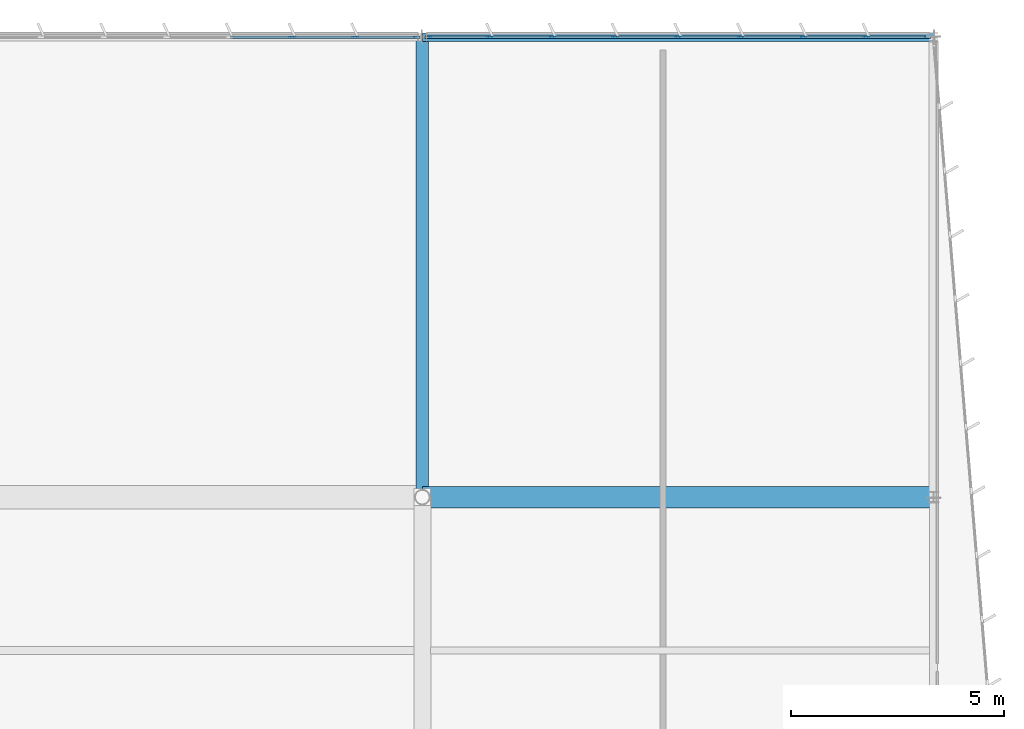
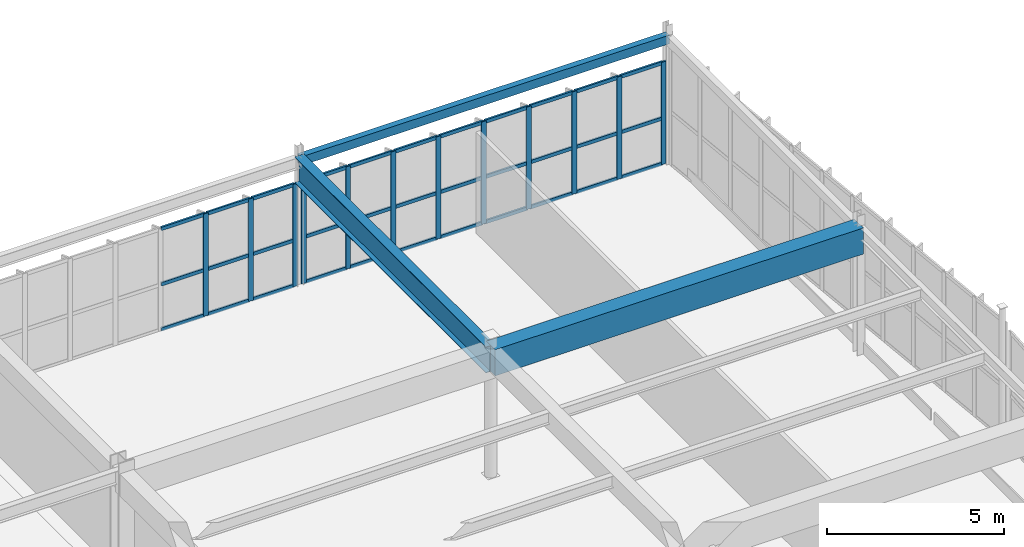
# One storey, part 110 of 186: 45 members, 3 beams, 2 elements without a shape of their own.
"""IFC4 building model written with IfcOpenShell, lengths in metres."""

import ifcopenshell
import ifcopenshell.guid

model = None  # the IFC model being written
_history = None  # IfcOwnerHistory: only IFC2X3 demands one
_inside = {}  # id of a spatial element -> (the spatial element, [elements in it])
_under = {}  # id of a project, library or spatial element -> (it, [spatial elements below it])
_declared = {}  # id of a project -> (the project, [libraries it declares])
_typed = {}  # id of a type object -> (the type object, [elements of that type])
_made_of = {}  # id of a material, layer set ... -> (it, [elements and type objects made of it])


def new_model(schema):
    """Start an empty IFC model of exactly this schema.

    Asked for "IFC4X3", IfcOpenShell would pick the latest addendum, in which some entities
    have other attributes; the version numbers below select the first issue.
    IFC2X3 requires an IfcOwnerHistory on every rooted entity: one is made here for all.
    """
    global model, _history
    if schema == "IFC4X3":
        model = ifcopenshell.file(schema_version=(4, 3, 0, 0))
    else:
        model = ifcopenshell.file(schema=schema)
    _inside.clear()
    _under.clear()
    _declared.clear()
    _typed.clear()
    _made_of.clear()
    _history = None
    if model.schema == "IFC2X3":
        org = make("IfcOrganization", Name="unknown")
        user = make(
            "IfcPersonAndOrganization",
            ThePerson=make("IfcPerson", FamilyName="unknown"),
            TheOrganization=org,
        )
        app = make(
            "IfcApplication",
            ApplicationDeveloper=org,
            Version="unknown",
            ApplicationFullName="unknown",
            ApplicationIdentifier="unknown",
        )
        _history = make(
            "IfcOwnerHistory",
            OwningUser=user,
            OwningApplication=app,
            ChangeAction="ADDED",
            CreationDate=0,
        )
    return model


def make(cls, **values):
    """One entity of the class cls with the attributes given. An attribute that is None is left unset."""
    return model.create_entity(
        cls, **{name: value for name, value in values.items() if value is not None}
    )


def rooted(cls, **values):
    """An entity with a GlobalId (a new one), such as an element, a storey or a relation."""
    return make(cls, GlobalId=ifcopenshell.guid.new(), OwnerHistory=_history, **values)


def si_unit(unit_type, name, prefix=None):
    """IfcSIUnit, for example si_unit("LENGTHUNIT", "METRE", prefix="MILLI")."""
    return make("IfcSIUnit", UnitType=unit_type, Prefix=prefix, Name=name)


def assignment(units):
    """IfcUnitAssignment: the units of a project."""
    return None if units is None else make("IfcUnitAssignment", Units=units)


def point(xyz):
    """IfcCartesianPoint."""
    return None if xyz is None else make("IfcCartesianPoint", Coordinates=xyz)


def direction(xyz):
    """IfcDirection."""
    return None if xyz is None else make("IfcDirection", DirectionRatios=xyz)


def frame(location, z_axis=None, x_axis=None):
    """IfcAxis2Placement3D, a coordinate frame: its origin and axes. An axis left out is left unset."""
    return make(
        "IfcAxis2Placement3D",
        Location=point(location),
        Axis=direction(z_axis),
        RefDirection=direction(x_axis),
    )


def frame_2d(location, x_axis=None):
    """IfcAxis2Placement2D, a coordinate frame in the plane: its origin and x axis."""
    return make(
        "IfcAxis2Placement2D", Location=point(location), RefDirection=direction(x_axis)
    )


def origin():
    """The frame at (0, 0, 0) with its axes left unset."""
    return frame((0.0, 0.0, 0.0))


def origin_2d():
    """The frame at (0, 0) in the plane with its x axis left unset."""
    return frame_2d((0.0, 0.0))


def place(relative_to, where):
    """IfcLocalPlacement: puts the frame where relative to a parent placement (None: the world)."""
    return make(
        "IfcLocalPlacement", PlacementRelTo=relative_to, RelativePlacement=where
    )


def context(
    kind, dimensions, precision=None, world=None, true_north=None, identifier=None
):
    """IfcGeometricRepresentationContext, for example the 3D "Model" context."""
    return make(
        "IfcGeometricRepresentationContext",
        ContextIdentifier=identifier,
        ContextType=kind,
        CoordinateSpaceDimension=dimensions,
        Precision=precision,
        WorldCoordinateSystem=world,
        TrueNorth=true_north,
    )


def subcontext(parent, identifier, kind, view, scale=None):
    """IfcGeometricRepresentationSubContext, for example "Body" below "Model"."""
    return make(
        "IfcGeometricRepresentationSubContext",
        ContextIdentifier=identifier,
        ContextType=kind,
        ParentContext=parent,
        TargetScale=scale,
        TargetView=view,
    )


def project(units=None, contexts=None):
    """IfcProject with its units and contexts."""
    return rooted(
        "IfcProject",
        Name="project",
        RepresentationContexts=contexts,
        UnitsInContext=assignment(units),
    )


def spatial(cls, under=None, at=None, **own):
    """A site, building, storey or space (cls), placed at a placement, below another one or the project."""
    s = rooted(cls, ObjectPlacement=at, **own)
    if under is not None:
        _under.setdefault(under.id(), (under, []))[1].append(s)
    return s


def profile(cls, at=None, kind="AREA", **sizes):
    """A parametric profile (cls). Its sizes go by their IFC names, for example OverallWidth=200.0."""
    return make(cls, ProfileType=kind, Position=at, **sizes)


def rectangle(**sizes):
    """IfcRectangleProfileDef."""
    return profile("IfcRectangleProfileDef", **sizes)


def hollow_rectangle(**sizes):
    """IfcRectangleHollowProfileDef."""
    return profile("IfcRectangleHollowProfileDef", **sizes)


def i_section(**sizes):
    """IfcIShapeProfileDef."""
    return profile("IfcIShapeProfileDef", **sizes)


def extrude(swept, where, along, depth):
    """IfcExtrudedAreaSolid: the profile swept, set in the frame where, extruded along a direction by depth."""
    return make(
        "IfcExtrudedAreaSolid",
        SweptArea=swept,
        Position=where,
        ExtrudedDirection=direction(along),
        Depth=depth,
    )


def shape(context_of_items, identifier, shape_type, items):
    """IfcShapeRepresentation: the items that make up one representation, for example the "Body"."""
    return make(
        "IfcShapeRepresentation",
        ContextOfItems=context_of_items,
        RepresentationIdentifier=identifier,
        RepresentationType=shape_type,
        Items=items,
    )


def material(Name=None, Category=None):
    """IfcMaterial."""
    return make("IfcMaterial", Name=Name, Category=Category)


def layer(
    of_material, thickness, ventilated=None, Name=None, Category=None, Priority=None
):
    """IfcMaterialLayer: one layer of a wall or slab, of a material (None: an air gap)."""
    return make(
        "IfcMaterialLayer",
        Material=of_material,
        LayerThickness=thickness,
        IsVentilated=ventilated,
        Name=Name,
        Category=Category,
        Priority=Priority,
    )


def layer_set(layers, Name=None):
    """IfcMaterialLayerSet."""
    return make("IfcMaterialLayerSet", MaterialLayers=layers, LayerSetName=Name)


def material_profile(
    of_material, cross_section, Name=None, Category=None, Priority=None
):
    """IfcMaterialProfile: a cross section and its material."""
    return make(
        "IfcMaterialProfile",
        Name=Name,
        Material=of_material,
        Profile=cross_section,
        Priority=Priority,
        Category=Category,
    )


def profile_set(profiles, Name=None, composite=None):
    """IfcMaterialProfileSet."""
    return make(
        "IfcMaterialProfileSet",
        Name=Name,
        MaterialProfiles=profiles,
        CompositeProfile=composite,
    )


def made_of(thing, what):
    """Note that an element or type object is made of a material, layer set ...; save() writes the relation."""
    if what is not None:
        _made_of.setdefault(what.id(), (what, []))[1].append(thing)
    return thing


def type_object(cls, material=None, **own):
    """A type object (cls), such as IfcWallType, which elements share."""
    return made_of(rooted(cls, **own), material)


def element(
    cls,
    number,
    at=None,
    inside=None,
    cuts=None,
    type_object=None,
    material=None,
    context=None,
    identifier="Body",
    shape_type=None,
    held_by="IfcProductDefinitionShape",
    body=None,
    shapes=None,
    **own,
):
    """One element of the class cls, such as IfcWall. Its Tag is "e" and its number.

    at: its placement. inside: the storey or other place that contains it. cuts: it is an
    opening in that element (IfcRelVoidsElement). A single representation is given by context,
    identifier, shape_type and body (its items); several are given by shapes. held_by: the class
    of the entity that holds the representations. save() writes the other relations.
    """
    e = rooted(cls, Tag="e%d" % number, ObjectPlacement=at, **own)
    if body is not None:
        shapes = [shape(context, identifier, shape_type, body)]
    if shapes is not None:
        e.Representation = make(held_by, Representations=shapes)
    if inside is not None:
        _inside.setdefault(inside.id(), (inside, []))[1].append(e)
    if cuts is not None:
        rooted(
            "IfcRelVoidsElement", RelatingBuildingElement=cuts, RelatedOpeningElement=e
        )
    if type_object is not None:
        _typed.setdefault(type_object.id(), (type_object, []))[1].append(e)
    return made_of(e, material)


def aggregate(whole, parts):
    """IfcRelAggregates: a whole, such as a stair, and the parts it consists of."""
    return rooted("IfcRelAggregates", RelatingObject=whole, RelatedObjects=parts)


def save(model, path):
    """Write the relations noted so far, then the file.

    IfcRelAggregates (storeys below a building ...), IfcRelContainedInSpatialStructure (elements
    in a storey), IfcRelDefinesByType, IfcRelAssociatesMaterial and IfcRelDeclares: one each for
    every whole, place, type object, material and project.
    """
    for whole, parts in _under.values():
        aggregate(whole, parts)
    for where, things in _inside.values():
        rooted(
            "IfcRelContainedInSpatialStructure",
            RelatedElements=things,
            RelatingStructure=where,
        )
    for kind, things in _typed.values():
        rooted("IfcRelDefinesByType", RelatedObjects=things, RelatingType=kind)
    for what, things in _made_of.values():
        rooted("IfcRelAssociatesMaterial", RelatedObjects=things, RelatingMaterial=what)
    for by, libraries in _declared.values():
        rooted("IfcRelDeclares", RelatingContext=by, RelatedDefinitions=libraries)
    model.write(path)


model = new_model("IFC4")

# Units and contexts
model_context = context("Model", 3, precision=1e-05, world=origin(), true_north=direction((0.0, 1.0)))
body_context = subcontext(model_context, "Body", "Model", "MODEL_VIEW")
ifc_project = project(units=[si_unit("LENGTHUNIT", "METRE"), si_unit("AREAUNIT", "SQUARE_METRE"), si_unit("VOLUMEUNIT", "CUBIC_METRE"), si_unit("PLANEANGLEUNIT", "RADIAN"), si_unit("MASSUNIT", "GRAM", prefix="KILO")], contexts=[model_context])

# Site, building, storey
site_placement = place(None, origin())
site = spatial("IfcSite", under=ifc_project, at=site_placement, CompositionType="ELEMENT")
building_placement = place(site_placement, origin())
building = spatial("IfcBuilding", under=site, at=building_placement, Name="Tarnwether General Hospital", CompositionType="ELEMENT")
storey_placement = place(building_placement, frame((0.0, 0.0, 9.60009765625)))
storey = spatial("IfcBuildingStorey", under=building, at=storey_placement, Name="L02", CompositionType="ELEMENT", Elevation=9.60009765625)

# Beams
ifc_material_1 = material(Name="Steel Grade 350 (350 MPa)", Category="steel")
ifc_material_profile_1 = material_profile(ifc_material_1, i_section(OverallWidth=0.300048828125, OverallDepth=0.89990234375, WebThickness=0.011962890625, FlangeThickness=0.02001953125, at=origin_2d()), Name="900WB175")
ifc_profile_set_1 = profile_set([ifc_material_profile_1], Name="Steel Grade 350 (350 MPa)")
beam_type_1 = type_object("IfcBeamType", Name="BM-G01", PredefinedType="BEAM", material=ifc_profile_set_1)
beam_1_placement = place(storey_placement, frame((180.0, 115.199951171875, 3.989990234375), z_axis=(0.0, 1.0, 0.0), x_axis=(-1.0, 0.0, 0.0)))
element("IfcBeam", 1, at=beam_1_placement, inside=storey, type_object=beam_type_1, Name="Primary Girder BMG-L02-18000_11520-18000_12600-1638", PredefinedType="BEAM", context=body_context, shape_type="SweptSolid", body=[
    extrude(i_section(OverallWidth=0.300048828125, OverallDepth=0.89990234375, WebThickness=0.011962890625, FlangeThickness=0.02001953125, at=origin_2d()), origin(), (0.0, 0.0, 1.0), 10.800048828125),
])
ifc_material_2 = material(Name="Concrete 40 MPa", Category="concrete")
ifc_material_profile_2 = material_profile(ifc_material_2, rectangle(XDim=0.5, YDim=0.89990234375, at=origin_2d()), Name="RC-BM-500x900")
ifc_profile_set_2 = profile_set([ifc_material_profile_2], Name="Concrete 40 MPa")
beam_type_2 = type_object("IfcBeamType", Name="BM-G12", PredefinedType="BEAM", material=ifc_profile_set_2)
beam_2_placement = place(storey_placement, frame((180.0, 115.199951171875, 3.989990234375), z_axis=(1.0, 0.0, 0.0), x_axis=(0.0, 1.0, 0.0)))
element("IfcBeam", 2, at=beam_2_placement, inside=storey, type_object=beam_type_2, Name="Primary Girder BMG-L02-18000_11520-19200_11520-1637", PredefinedType="BEAM", context=body_context, shape_type="SweptSolid", body=[
    extrude(rectangle(XDim=0.5, YDim=0.89990234375, at=origin_2d()), origin(), (0.0, 0.0, 1.0), 12.0),
])
ifc_material_3 = material(Name="Steel Grade C350L0 (350 MPa)", Category="steel")
ifc_material_profile_3 = material_profile(ifc_material_3, hollow_rectangle(XDim=0.199951171875, YDim=0.300048828125, WallThickness=0.012451171875, at=origin_2d()), Name="RHS300x200x12.5")
ifc_profile_set_3 = profile_set([ifc_material_profile_3], Name="Steel Grade C350L0 (350 MPa)")
beam_type_3 = type_object("IfcBeamType", Name="BM-SP3", PredefinedType="SPANDREL", material=ifc_profile_set_3)
beam_3_placement = place(storey_placement, frame((180.0, 126.0, 4.289794921875), z_axis=(1.0, 0.0, 0.0), x_axis=(0.0, 1.0, 0.0)))
element("IfcBeam", 3, at=beam_3_placement, inside=storey, type_object=beam_type_3, Name="Primary Girder BMG-L02-18000_12600-19200_12600-1639", PredefinedType="SPANDREL", context=body_context, shape_type="SweptSolid", body=[
    extrude(hollow_rectangle(XDim=0.199951171875, YDim=0.300048828125, WallThickness=0.012451171875, at=origin_2d()), origin(), (0.0, 0.0, 1.0), 12.0),
])

# Curtain wall, members
ifc_material_4 = material(Name="Anodised aluminium", Category="aluminium")
ifc_layer = layer(ifc_material_4, 0.159912109375)
ifc_layer_set = layer_set([ifc_layer], Name="Anodised aluminium")
curtain_wall_type = type_object("IfcCurtainWallType", Name="CW-16", PredefinedType="NOTDEFINED", material=ifc_layer_set)
curtain_wall_1_placement = place(storey_placement, origin())
curtain_wall_1 = element("IfcCurtainWall", 4, at=curtain_wall_1_placement, inside=storey, type_object=curtain_wall_type, Name="Curtain Wall CWG-L02-1681_1260-0464", PredefinedType="NOTDEFINED")
ifc_material_5 = material(Name="Anodised aluminium", Category="aluminium")
ifc_material_profile_4 = material_profile(ifc_material_5, rectangle(XDim=0.06005859375, YDim=0.159912109375, at=origin_2d()), Name="ALU-MUL-60x160")
ifc_profile_set_4 = profile_set([ifc_material_profile_4], Name="Anodised aluminium")
member_type_1 = type_object("IfcMemberType", Name="CW-ML1", PredefinedType="MULLION", material=ifc_profile_set_4)
member_1_placement = place(storey_placement, frame((176.944580078125, 126.0, 0.0), z_axis=(0.0, 0.0, 1.0), x_axis=(0.0, 1.0, 0.0)))
member_1 = element("IfcMember", 5, at=member_1_placement, type_object=member_type_1, Name="CW-16 mullion 7", PredefinedType="MULLION", context=body_context, shape_type="SweptSolid", body=[
    extrude(rectangle(XDim=0.06005859375, YDim=0.159912109375, at=origin_2d()), origin(), (0.0, 0.0, 1.0), 3.52490234375),
])
member_2_placement = place(storey_placement, frame((178.417724609375, 126.0, 0.0), z_axis=(0.0, 0.0, 1.0), x_axis=(0.0, 1.0, 0.0)))
member_2 = element("IfcMember", 6, at=member_2_placement, type_object=member_type_1, Name="CW-16 mullion 8", PredefinedType="MULLION", context=body_context, shape_type="SweptSolid", body=[
    extrude(rectangle(XDim=0.06005859375, YDim=0.159912109375, at=origin_2d()), origin(), (0.0, 0.0, 1.0), 3.52490234375),
])
member_3_placement = place(storey_placement, frame((179.861083984375, 126.0, 0.0), z_axis=(0.0, 0.0, 1.0), x_axis=(0.0, 1.0, 0.0)))
member_3 = element("IfcMember", 7, at=member_3_placement, type_object=member_type_1, Name="CW-16 mullion 9", PredefinedType="MULLION", context=body_context, shape_type="SweptSolid", body=[
    extrude(rectangle(XDim=0.06005859375, YDim=0.159912109375, at=origin_2d()), origin(), (0.0, 0.0, 1.0), 3.52490234375),
])

curtain_wall_2_placement = place(storey_placement, origin())
curtain_wall_2 = element("IfcCurtainWall", 8, at=curtain_wall_2_placement, inside=storey, type_object=curtain_wall_type, Name="Curtain Wall CWG-L02-1801_1260-0465", PredefinedType="NOTDEFINED")
member_4_placement = place(storey_placement, frame((180.138916015625, 126.0, 0.0), z_axis=(0.0, 0.0, 1.0), x_axis=(0.0, 1.0, 0.0)))
member_4 = element("IfcMember", 9, at=member_4_placement, type_object=member_type_1, Name="CW-16 mullion 1", PredefinedType="MULLION", context=body_context, shape_type="SweptSolid", body=[
    extrude(rectangle(XDim=0.06005859375, YDim=0.159912109375, at=origin_2d()), origin(), (0.0, 0.0, 1.0), 3.52490234375),
])
member_5_placement = place(storey_placement, frame((181.58154296875, 126.0, 0.0), z_axis=(0.0, 0.0, 1.0), x_axis=(0.0, 1.0, 0.0)))
member_5 = element("IfcMember", 10, at=member_5_placement, type_object=member_type_1, Name="CW-16 mullion 2", PredefinedType="MULLION", context=body_context, shape_type="SweptSolid", body=[
    extrude(rectangle(XDim=0.06005859375, YDim=0.159912109375, at=origin_2d()), origin(), (0.0, 0.0, 1.0), 3.52490234375),
])
member_6_placement = place(storey_placement, frame((183.053955078125, 126.0, 0.0), z_axis=(0.0, 0.0, 1.0), x_axis=(0.0, 1.0, 0.0)))
member_6 = element("IfcMember", 11, at=member_6_placement, type_object=member_type_1, Name="CW-16 mullion 3", PredefinedType="MULLION", context=body_context, shape_type="SweptSolid", body=[
    extrude(rectangle(XDim=0.06005859375, YDim=0.159912109375, at=origin_2d()), origin(), (0.0, 0.0, 1.0), 3.52490234375),
])
member_7_placement = place(storey_placement, frame((184.526611328125, 126.0, 0.0), z_axis=(0.0, 0.0, 1.0), x_axis=(0.0, 1.0, 0.0)))
member_7 = element("IfcMember", 12, at=member_7_placement, type_object=member_type_1, Name="CW-16 mullion 4", PredefinedType="MULLION", context=body_context, shape_type="SweptSolid", body=[
    extrude(rectangle(XDim=0.06005859375, YDim=0.159912109375, at=origin_2d()), origin(), (0.0, 0.0, 1.0), 3.52490234375),
])
member_8_placement = place(storey_placement, frame((185.9990234375, 126.0, 0.0), z_axis=(0.0, 0.0, 1.0), x_axis=(0.0, 1.0, 0.0)))
member_8 = element("IfcMember", 13, at=member_8_placement, type_object=member_type_1, Name="CW-16 mullion 5", PredefinedType="MULLION", context=body_context, shape_type="SweptSolid", body=[
    extrude(rectangle(XDim=0.06005859375, YDim=0.159912109375, at=origin_2d()), origin(), (0.0, 0.0, 1.0), 3.52490234375),
])
member_9_placement = place(storey_placement, frame((187.471435546875, 126.0, 0.0), z_axis=(0.0, 0.0, 1.0), x_axis=(0.0, 1.0, 0.0)))
member_9 = element("IfcMember", 14, at=member_9_placement, type_object=member_type_1, Name="CW-16 mullion 6", PredefinedType="MULLION", context=body_context, shape_type="SweptSolid", body=[
    extrude(rectangle(XDim=0.06005859375, YDim=0.159912109375, at=origin_2d()), origin(), (0.0, 0.0, 1.0), 3.52490234375),
])
member_10_placement = place(storey_placement, frame((188.944091796875, 126.0, 0.0), z_axis=(0.0, 0.0, 1.0), x_axis=(0.0, 1.0, 0.0)))
member_10 = element("IfcMember", 15, at=member_10_placement, type_object=member_type_1, Name="CW-16 mullion 7", PredefinedType="MULLION", context=body_context, shape_type="SweptSolid", body=[
    extrude(rectangle(XDim=0.06005859375, YDim=0.159912109375, at=origin_2d()), origin(), (0.0, 0.0, 1.0), 3.52490234375),
])
member_11_placement = place(storey_placement, frame((190.41650390625, 126.0, 0.0), z_axis=(0.0, 0.0, 1.0), x_axis=(0.0, 1.0, 0.0)))
member_11 = element("IfcMember", 16, at=member_11_placement, type_object=member_type_1, Name="CW-16 mullion 8", PredefinedType="MULLION", context=body_context, shape_type="SweptSolid", body=[
    extrude(rectangle(XDim=0.06005859375, YDim=0.159912109375, at=origin_2d()), origin(), (0.0, 0.0, 1.0), 3.52490234375),
])
member_12_placement = place(storey_placement, frame((191.85888671875, 126.0, 0.0), z_axis=(0.0, 0.0, 1.0), x_axis=(0.0, 1.0, 0.0)))
member_12 = element("IfcMember", 17, at=member_12_placement, type_object=member_type_1, Name="CW-16 mullion 9", PredefinedType="MULLION", context=body_context, shape_type="SweptSolid", body=[
    extrude(rectangle(XDim=0.06005859375, YDim=0.159912109375, at=origin_2d()), origin(), (0.0, 0.0, 1.0), 3.52490234375),
])

# Member
ifc_material_6 = material(Name="Anodised aluminium", Category="aluminium")
ifc_material_profile_5 = material_profile(ifc_material_6, rectangle(XDim=0.06005859375, YDim=0.1201171875, at=origin_2d()), Name="ALU-TRN-60x120")
ifc_profile_set_5 = profile_set([ifc_material_profile_5], Name="Anodised aluminium")
member_type_2 = type_object("IfcMemberType", Name="CW-TR1", PredefinedType="USERDEFINED", material=ifc_profile_set_5)
member_13_placement = place(storey_placement, frame((175.501220703125, 126.0, 0.02978515625), z_axis=(1.0, 0.0, 0.0), x_axis=(0.0, 1.0, 0.0)))
member_13 = element("IfcMember", 18, at=member_13_placement, type_object=member_type_2, Name="CW-16 transom 6.1", ObjectType="TRANSOM", PredefinedType="USERDEFINED", context=body_context, shape_type="SweptSolid", body=[
    extrude(rectangle(XDim=0.06005859375, YDim=0.1201171875, at=origin_2d()), origin(), (0.0, 0.0, 1.0), 1.413330078125),
])

member_14_placement = place(storey_placement, frame((175.501220703125, 126.0, 1.586181640625), z_axis=(1.0, 0.0, 0.0), x_axis=(0.0, 1.0, 0.0)))
member_14 = element("IfcMember", 19, at=member_14_placement, type_object=member_type_2, Name="CW-16 transom 6.2", ObjectType="TRANSOM", PredefinedType="USERDEFINED", context=body_context, shape_type="SweptSolid", body=[
    extrude(rectangle(XDim=0.06005859375, YDim=0.1201171875, at=origin_2d()), origin(), (0.0, 0.0, 1.0), 1.413330078125),
])

member_15_placement = place(storey_placement, frame((175.501220703125, 126.0, 3.494873046875), z_axis=(1.0, 0.0, 0.0), x_axis=(0.0, 1.0, 0.0)))
member_15 = element("IfcMember", 20, at=member_15_placement, type_object=member_type_2, Name="CW-16 transom 6.3", ObjectType="TRANSOM", PredefinedType="USERDEFINED", context=body_context, shape_type="SweptSolid", body=[
    extrude(rectangle(XDim=0.06005859375, YDim=0.1201171875, at=origin_2d()), origin(), (0.0, 0.0, 1.0), 1.413330078125),
])

member_16_placement = place(storey_placement, frame((176.974609375, 126.0, 0.02978515625), z_axis=(1.0, 0.0, 0.0), x_axis=(0.0, 1.0, 0.0)))
member_16 = element("IfcMember", 21, at=member_16_placement, type_object=member_type_2, Name="CW-16 transom 7.1", ObjectType="TRANSOM", PredefinedType="USERDEFINED", context=body_context, shape_type="SweptSolid", body=[
    extrude(rectangle(XDim=0.06005859375, YDim=0.1201171875, at=origin_2d()), origin(), (0.0, 0.0, 1.0), 1.4130859375),
])

member_17_placement = place(storey_placement, frame((176.974609375, 126.0, 1.586181640625), z_axis=(1.0, 0.0, 0.0), x_axis=(0.0, 1.0, 0.0)))
member_17 = element("IfcMember", 22, at=member_17_placement, type_object=member_type_2, Name="CW-16 transom 7.2", ObjectType="TRANSOM", PredefinedType="USERDEFINED", context=body_context, shape_type="SweptSolid", body=[
    extrude(rectangle(XDim=0.06005859375, YDim=0.1201171875, at=origin_2d()), origin(), (0.0, 0.0, 1.0), 1.4130859375),
])

member_18_placement = place(storey_placement, frame((176.974609375, 126.0, 3.494873046875), z_axis=(1.0, 0.0, 0.0), x_axis=(0.0, 1.0, 0.0)))
member_18 = element("IfcMember", 23, at=member_18_placement, type_object=member_type_2, Name="CW-16 transom 7.3", ObjectType="TRANSOM", PredefinedType="USERDEFINED", context=body_context, shape_type="SweptSolid", body=[
    extrude(rectangle(XDim=0.06005859375, YDim=0.1201171875, at=origin_2d()), origin(), (0.0, 0.0, 1.0), 1.4130859375),
])

member_19_placement = place(storey_placement, frame((178.44775390625, 126.0, 0.02978515625), z_axis=(1.0, 0.0, 0.0), x_axis=(0.0, 1.0, 0.0)))
member_19 = element("IfcMember", 24, at=member_19_placement, type_object=member_type_2, Name="CW-16 transom 8.1", ObjectType="TRANSOM", PredefinedType="USERDEFINED", context=body_context, shape_type="SweptSolid", body=[
    extrude(rectangle(XDim=0.06005859375, YDim=0.1201171875, at=origin_2d()), origin(), (0.0, 0.0, 1.0), 1.38330078125),
])

member_20_placement = place(storey_placement, frame((178.44775390625, 126.0, 1.586181640625), z_axis=(1.0, 0.0, 0.0), x_axis=(0.0, 1.0, 0.0)))
member_20 = element("IfcMember", 25, at=member_20_placement, type_object=member_type_2, Name="CW-16 transom 8.2", ObjectType="TRANSOM", PredefinedType="USERDEFINED", context=body_context, shape_type="SweptSolid", body=[
    extrude(rectangle(XDim=0.06005859375, YDim=0.1201171875, at=origin_2d()), origin(), (0.0, 0.0, 1.0), 1.38330078125),
])

member_21_placement = place(storey_placement, frame((178.44775390625, 126.0, 3.494873046875), z_axis=(1.0, 0.0, 0.0), x_axis=(0.0, 1.0, 0.0)))
member_21 = element("IfcMember", 26, at=member_21_placement, type_object=member_type_2, Name="CW-16 transom 8.3", ObjectType="TRANSOM", PredefinedType="USERDEFINED", context=body_context, shape_type="SweptSolid", body=[
    extrude(rectangle(XDim=0.06005859375, YDim=0.1201171875, at=origin_2d()), origin(), (0.0, 0.0, 1.0), 1.38330078125),
])

aggregate(curtain_wall_1, [member_1, member_2, member_3, member_13, member_14, member_15, member_16, member_17, member_18, member_19, member_20, member_21])

member_22_placement = place(storey_placement, frame((180.1689453125, 126.0, 0.02978515625), z_axis=(1.0, 0.0, 0.0), x_axis=(0.0, 1.0, 0.0)))
member_22 = element("IfcMember", 27, at=member_22_placement, type_object=member_type_2, Name="CW-16 transom 1.1", ObjectType="TRANSOM", PredefinedType="USERDEFINED", context=body_context, shape_type="SweptSolid", body=[
    extrude(rectangle(XDim=0.06005859375, YDim=0.1201171875, at=origin_2d()), origin(), (0.0, 0.0, 1.0), 1.382568359375),
])

member_23_placement = place(storey_placement, frame((180.1689453125, 126.0, 1.586181640625), z_axis=(1.0, 0.0, 0.0), x_axis=(0.0, 1.0, 0.0)))
member_23 = element("IfcMember", 28, at=member_23_placement, type_object=member_type_2, Name="CW-16 transom 1.2", ObjectType="TRANSOM", PredefinedType="USERDEFINED", context=body_context, shape_type="SweptSolid", body=[
    extrude(rectangle(XDim=0.06005859375, YDim=0.1201171875, at=origin_2d()), origin(), (0.0, 0.0, 1.0), 1.382568359375),
])

member_24_placement = place(storey_placement, frame((180.1689453125, 126.0, 3.494873046875), z_axis=(1.0, 0.0, 0.0), x_axis=(0.0, 1.0, 0.0)))
member_24 = element("IfcMember", 29, at=member_24_placement, type_object=member_type_2, Name="CW-16 transom 1.3", ObjectType="TRANSOM", PredefinedType="USERDEFINED", context=body_context, shape_type="SweptSolid", body=[
    extrude(rectangle(XDim=0.06005859375, YDim=0.1201171875, at=origin_2d()), origin(), (0.0, 0.0, 1.0), 1.382568359375),
])

member_25_placement = place(storey_placement, frame((181.611572265625, 126.0, 0.02978515625), z_axis=(1.0, 0.0, 0.0), x_axis=(0.0, 1.0, 0.0)))
member_25 = element("IfcMember", 30, at=member_25_placement, type_object=member_type_2, Name="CW-16 transom 2.1", ObjectType="TRANSOM", PredefinedType="USERDEFINED", context=body_context, shape_type="SweptSolid", body=[
    extrude(rectangle(XDim=0.06005859375, YDim=0.1201171875, at=origin_2d()), origin(), (0.0, 0.0, 1.0), 1.412353515625),
])

member_26_placement = place(storey_placement, frame((181.611572265625, 126.0, 1.586181640625), z_axis=(1.0, 0.0, 0.0), x_axis=(0.0, 1.0, 0.0)))
member_26 = element("IfcMember", 31, at=member_26_placement, type_object=member_type_2, Name="CW-16 transom 2.2", ObjectType="TRANSOM", PredefinedType="USERDEFINED", context=body_context, shape_type="SweptSolid", body=[
    extrude(rectangle(XDim=0.06005859375, YDim=0.1201171875, at=origin_2d()), origin(), (0.0, 0.0, 1.0), 1.412353515625),
])

member_27_placement = place(storey_placement, frame((181.611572265625, 126.0, 3.494873046875), z_axis=(1.0, 0.0, 0.0), x_axis=(0.0, 1.0, 0.0)))
member_27 = element("IfcMember", 32, at=member_27_placement, type_object=member_type_2, Name="CW-16 transom 2.3", ObjectType="TRANSOM", PredefinedType="USERDEFINED", context=body_context, shape_type="SweptSolid", body=[
    extrude(rectangle(XDim=0.06005859375, YDim=0.1201171875, at=origin_2d()), origin(), (0.0, 0.0, 1.0), 1.412353515625),
])

member_28_placement = place(storey_placement, frame((183.083984375, 126.0, 0.02978515625), z_axis=(1.0, 0.0, 0.0), x_axis=(0.0, 1.0, 0.0)))
member_28 = element("IfcMember", 33, at=member_28_placement, type_object=member_type_2, Name="CW-16 transom 3.1", ObjectType="TRANSOM", PredefinedType="USERDEFINED", context=body_context, shape_type="SweptSolid", body=[
    extrude(rectangle(XDim=0.06005859375, YDim=0.1201171875, at=origin_2d()), origin(), (0.0, 0.0, 1.0), 1.41259765625),
])

member_29_placement = place(storey_placement, frame((183.083984375, 126.0, 1.586181640625), z_axis=(1.0, 0.0, 0.0), x_axis=(0.0, 1.0, 0.0)))
member_29 = element("IfcMember", 34, at=member_29_placement, type_object=member_type_2, Name="CW-16 transom 3.2", ObjectType="TRANSOM", PredefinedType="USERDEFINED", context=body_context, shape_type="SweptSolid", body=[
    extrude(rectangle(XDim=0.06005859375, YDim=0.1201171875, at=origin_2d()), origin(), (0.0, 0.0, 1.0), 1.41259765625),
])

member_30_placement = place(storey_placement, frame((183.083984375, 126.0, 3.494873046875), z_axis=(1.0, 0.0, 0.0), x_axis=(0.0, 1.0, 0.0)))
member_30 = element("IfcMember", 35, at=member_30_placement, type_object=member_type_2, Name="CW-16 transom 3.3", ObjectType="TRANSOM", PredefinedType="USERDEFINED", context=body_context, shape_type="SweptSolid", body=[
    extrude(rectangle(XDim=0.06005859375, YDim=0.1201171875, at=origin_2d()), origin(), (0.0, 0.0, 1.0), 1.41259765625),
])

member_31_placement = place(storey_placement, frame((184.556396484375, 126.0, 0.02978515625), z_axis=(1.0, 0.0, 0.0), x_axis=(0.0, 1.0, 0.0)))
member_31 = element("IfcMember", 36, at=member_31_placement, type_object=member_type_2, Name="CW-16 transom 4.1", ObjectType="TRANSOM", PredefinedType="USERDEFINED", context=body_context, shape_type="SweptSolid", body=[
    extrude(rectangle(XDim=0.06005859375, YDim=0.1201171875, at=origin_2d()), origin(), (0.0, 0.0, 1.0), 1.41259765625),
])

member_32_placement = place(storey_placement, frame((184.556396484375, 126.0, 1.586181640625), z_axis=(1.0, 0.0, 0.0), x_axis=(0.0, 1.0, 0.0)))
member_32 = element("IfcMember", 37, at=member_32_placement, type_object=member_type_2, Name="CW-16 transom 4.2", ObjectType="TRANSOM", PredefinedType="USERDEFINED", context=body_context, shape_type="SweptSolid", body=[
    extrude(rectangle(XDim=0.06005859375, YDim=0.1201171875, at=origin_2d()), origin(), (0.0, 0.0, 1.0), 1.41259765625),
])

member_33_placement = place(storey_placement, frame((184.556396484375, 126.0, 3.494873046875), z_axis=(1.0, 0.0, 0.0), x_axis=(0.0, 1.0, 0.0)))
member_33 = element("IfcMember", 38, at=member_33_placement, type_object=member_type_2, Name="CW-16 transom 4.3", ObjectType="TRANSOM", PredefinedType="USERDEFINED", context=body_context, shape_type="SweptSolid", body=[
    extrude(rectangle(XDim=0.06005859375, YDim=0.1201171875, at=origin_2d()), origin(), (0.0, 0.0, 1.0), 1.41259765625),
])

member_34_placement = place(storey_placement, frame((186.029052734375, 126.0, 0.02978515625), z_axis=(1.0, 0.0, 0.0), x_axis=(0.0, 1.0, 0.0)))
member_34 = element("IfcMember", 39, at=member_34_placement, type_object=member_type_2, Name="CW-16 transom 5.1", ObjectType="TRANSOM", PredefinedType="USERDEFINED", context=body_context, shape_type="SweptSolid", body=[
    extrude(rectangle(XDim=0.06005859375, YDim=0.1201171875, at=origin_2d()), origin(), (0.0, 0.0, 1.0), 1.412353515625),
])

member_35_placement = place(storey_placement, frame((186.029052734375, 126.0, 1.586181640625), z_axis=(1.0, 0.0, 0.0), x_axis=(0.0, 1.0, 0.0)))
member_35 = element("IfcMember", 40, at=member_35_placement, type_object=member_type_2, Name="CW-16 transom 5.2", ObjectType="TRANSOM", PredefinedType="USERDEFINED", context=body_context, shape_type="SweptSolid", body=[
    extrude(rectangle(XDim=0.06005859375, YDim=0.1201171875, at=origin_2d()), origin(), (0.0, 0.0, 1.0), 1.412353515625),
])

member_36_placement = place(storey_placement, frame((186.029052734375, 126.0, 3.494873046875), z_axis=(1.0, 0.0, 0.0), x_axis=(0.0, 1.0, 0.0)))
member_36 = element("IfcMember", 41, at=member_36_placement, type_object=member_type_2, Name="CW-16 transom 5.3", ObjectType="TRANSOM", PredefinedType="USERDEFINED", context=body_context, shape_type="SweptSolid", body=[
    extrude(rectangle(XDim=0.06005859375, YDim=0.1201171875, at=origin_2d()), origin(), (0.0, 0.0, 1.0), 1.412353515625),
])

member_37_placement = place(storey_placement, frame((187.50146484375, 126.0, 0.02978515625), z_axis=(1.0, 0.0, 0.0), x_axis=(0.0, 1.0, 0.0)))
member_37 = element("IfcMember", 42, at=member_37_placement, type_object=member_type_2, Name="CW-16 transom 6.1", ObjectType="TRANSOM", PredefinedType="USERDEFINED", context=body_context, shape_type="SweptSolid", body=[
    extrude(rectangle(XDim=0.06005859375, YDim=0.1201171875, at=origin_2d()), origin(), (0.0, 0.0, 1.0), 1.41259765625),
])

member_38_placement = place(storey_placement, frame((187.50146484375, 126.0, 1.586181640625), z_axis=(1.0, 0.0, 0.0), x_axis=(0.0, 1.0, 0.0)))
member_38 = element("IfcMember", 43, at=member_38_placement, type_object=member_type_2, Name="CW-16 transom 6.2", ObjectType="TRANSOM", PredefinedType="USERDEFINED", context=body_context, shape_type="SweptSolid", body=[
    extrude(rectangle(XDim=0.06005859375, YDim=0.1201171875, at=origin_2d()), origin(), (0.0, 0.0, 1.0), 1.41259765625),
])

member_39_placement = place(storey_placement, frame((187.50146484375, 126.0, 3.494873046875), z_axis=(1.0, 0.0, 0.0), x_axis=(0.0, 1.0, 0.0)))
member_39 = element("IfcMember", 44, at=member_39_placement, type_object=member_type_2, Name="CW-16 transom 6.3", ObjectType="TRANSOM", PredefinedType="USERDEFINED", context=body_context, shape_type="SweptSolid", body=[
    extrude(rectangle(XDim=0.06005859375, YDim=0.1201171875, at=origin_2d()), origin(), (0.0, 0.0, 1.0), 1.41259765625),
])

member_40_placement = place(storey_placement, frame((188.97412109375, 126.0, 0.02978515625), z_axis=(1.0, 0.0, 0.0), x_axis=(0.0, 1.0, 0.0)))
member_40 = element("IfcMember", 45, at=member_40_placement, type_object=member_type_2, Name="CW-16 transom 7.1", ObjectType="TRANSOM", PredefinedType="USERDEFINED", context=body_context, shape_type="SweptSolid", body=[
    extrude(rectangle(XDim=0.06005859375, YDim=0.1201171875, at=origin_2d()), origin(), (0.0, 0.0, 1.0), 1.412353515625),
])

member_41_placement = place(storey_placement, frame((188.97412109375, 126.0, 1.586181640625), z_axis=(1.0, 0.0, 0.0), x_axis=(0.0, 1.0, 0.0)))
member_41 = element("IfcMember", 46, at=member_41_placement, type_object=member_type_2, Name="CW-16 transom 7.2", ObjectType="TRANSOM", PredefinedType="USERDEFINED", context=body_context, shape_type="SweptSolid", body=[
    extrude(rectangle(XDim=0.06005859375, YDim=0.1201171875, at=origin_2d()), origin(), (0.0, 0.0, 1.0), 1.412353515625),
])

member_42_placement = place(storey_placement, frame((188.97412109375, 126.0, 3.494873046875), z_axis=(1.0, 0.0, 0.0), x_axis=(0.0, 1.0, 0.0)))
member_42 = element("IfcMember", 47, at=member_42_placement, type_object=member_type_2, Name="CW-16 transom 7.3", ObjectType="TRANSOM", PredefinedType="USERDEFINED", context=body_context, shape_type="SweptSolid", body=[
    extrude(rectangle(XDim=0.06005859375, YDim=0.1201171875, at=origin_2d()), origin(), (0.0, 0.0, 1.0), 1.412353515625),
])

member_43_placement = place(storey_placement, frame((190.446533203125, 126.0, 0.02978515625), z_axis=(1.0, 0.0, 0.0), x_axis=(0.0, 1.0, 0.0)))
member_43 = element("IfcMember", 48, at=member_43_placement, type_object=member_type_2, Name="CW-16 transom 8.1", ObjectType="TRANSOM", PredefinedType="USERDEFINED", context=body_context, shape_type="SweptSolid", body=[
    extrude(rectangle(XDim=0.06005859375, YDim=0.1201171875, at=origin_2d()), origin(), (0.0, 0.0, 1.0), 1.382568359375),
])

member_44_placement = place(storey_placement, frame((190.446533203125, 126.0, 1.586181640625), z_axis=(1.0, 0.0, 0.0), x_axis=(0.0, 1.0, 0.0)))
member_44 = element("IfcMember", 49, at=member_44_placement, type_object=member_type_2, Name="CW-16 transom 8.2", ObjectType="TRANSOM", PredefinedType="USERDEFINED", context=body_context, shape_type="SweptSolid", body=[
    extrude(rectangle(XDim=0.06005859375, YDim=0.1201171875, at=origin_2d()), origin(), (0.0, 0.0, 1.0), 1.382568359375),
])

member_45_placement = place(storey_placement, frame((190.446533203125, 126.0, 3.494873046875), z_axis=(1.0, 0.0, 0.0), x_axis=(0.0, 1.0, 0.0)))
member_45 = element("IfcMember", 50, at=member_45_placement, type_object=member_type_2, Name="CW-16 transom 8.3", ObjectType="TRANSOM", PredefinedType="USERDEFINED", context=body_context, shape_type="SweptSolid", body=[
    extrude(rectangle(XDim=0.06005859375, YDim=0.1201171875, at=origin_2d()), origin(), (0.0, 0.0, 1.0), 1.382568359375),
])

aggregate(curtain_wall_2, [member_4, member_5, member_6, member_7, member_8, member_9, member_10, member_11, member_12, member_22, member_23, member_24, member_25, member_26, member_27, member_28, member_29, member_30, member_31, member_32, member_33, member_34, member_35, member_36, member_37, member_38, member_39, member_40, member_41, member_42, member_43, member_44, member_45])

save(model, "model.ifc")
